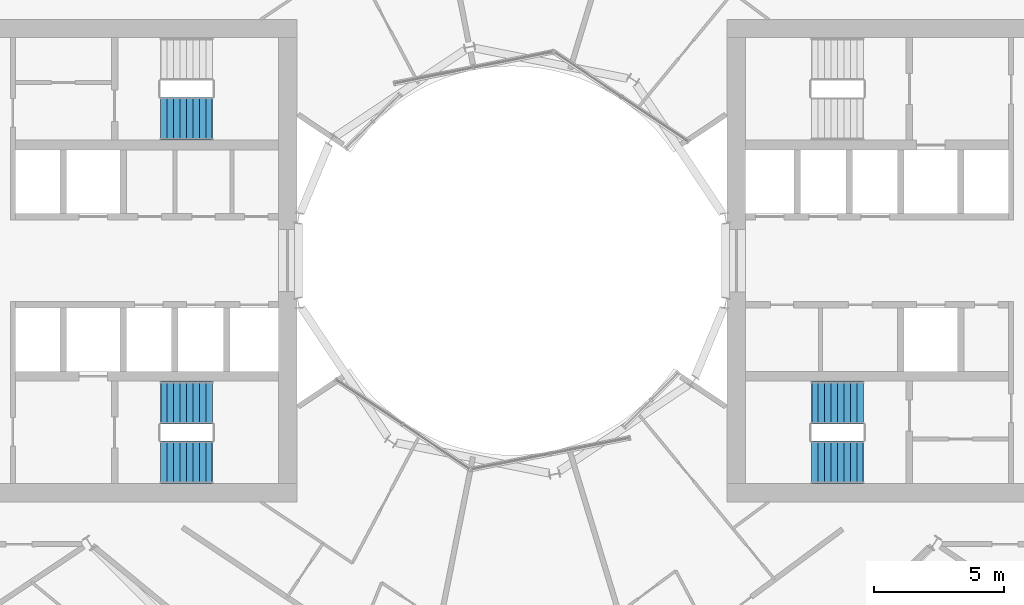
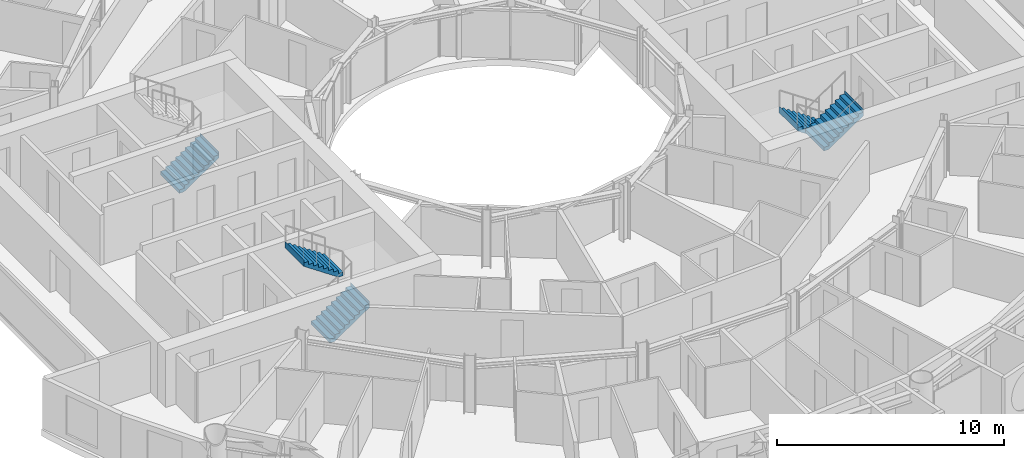
# One storey, part 23 of 26: 5 stair flights, 3 elements without a shape of their own.
"""IFC4 building model written with IfcOpenShell, lengths in metres."""

from ifc_helpers import new_model, si_unit, direction, frame, origin, place, context, subcontext, project, spatial, triangles, material, type_object, element, aggregate, save


model = new_model("IFC4")

# Units and contexts
model_context = context("Model", 3, precision=1e-05, world=origin(), true_north=direction((0.0, 1.0)))
body_context = subcontext(model_context, "Body", "Model", "MODEL_VIEW")
ifc_project = project(units=[si_unit("LENGTHUNIT", "METRE"), si_unit("AREAUNIT", "SQUARE_METRE"), si_unit("VOLUMEUNIT", "CUBIC_METRE"), si_unit("PLANEANGLEUNIT", "RADIAN"), si_unit("MASSUNIT", "GRAM", prefix="KILO")], contexts=[model_context])

# Site, building, storey
site_placement = place(None, origin())
site = spatial("IfcSite", under=ifc_project, at=site_placement, CompositionType="ELEMENT")
building_placement = place(site_placement, origin())
building = spatial("IfcBuilding", under=site, at=building_placement, Name="Maasbend Ring Residences", CompositionType="ELEMENT")
storey_placement = place(building_placement, frame((0.0, 0.0, 88.0)))
storey = spatial("IfcBuildingStorey", under=building, at=storey_placement, Name="L25", CompositionType="ELEMENT", Elevation=88.0)

# Stair, stair flights
ifc_material_1 = material(Name="Concrete C40/50", Category="concrete")
stair_type = type_object("IfcStairType", Name="CORE STAIR 18 RISERS", PredefinedType="HALF_TURN_STAIR", material=ifc_material_1)
stair_1_placement = place(storey_placement, origin())
stair_1 = element("IfcStair", 1, at=stair_1_placement, inside=storey, type_object=stair_type, Name="L25 Exit stair ST-E2", PredefinedType="HALF_TURN_STAIR")
ifc_material_2 = material(Name="Concrete C40/50", Category="concrete")
stair_flight_type = type_object("IfcStairFlightType", Name="CORE STAIR FLIGHT 1650", PredefinedType="STRAIGHT", material=ifc_material_2)
stair_flight_1_placement = place(storey_placement, frame((13.550048828125, -5.47509765625, 0.0), z_axis=(0.0, 0.0, 1.0), x_axis=(-1.0, 0.0, 0.0)))
stair_flight_1 = element("IfcStairFlight", 2, at=stair_flight_1_placement, type_object=stair_flight_type, Name="ST-E2 flight 1", NumberOfRisers=9, NumberOfTreads=8, PredefinedType="STRAIGHT", RiserHeight=0.169444444, TreadLength=0.25, context=body_context, shape_type="Tessellation", body=[
    triangles([(0.24072265625, 0.824951171875, -0.02001953125), (2.0029296875, 0.824951171875, 1.174560546875), (2.0029296875, 0.824951171875, 1.52490234375), (1.989990234375, 0.824951171875, 1.35546875), (1.75, 0.824951171875, 1.35546875), (1.75, 0.824951171875, 1.18603515625), (1.5, 0.824951171875, 1.18603515625), (1.5, 0.824951171875, 1.0166015625), (1.25, 0.824951171875, 1.0166015625), (1.25, 0.824951171875, 0.84716796875), (1.0, 0.824951171875, 0.84716796875), (1.0, 0.824951171875, 0.677734375), (0.75, 0.824951171875, 0.677734375), (0.75, 0.824951171875, 0.50830078125), (0.5, 0.824951171875, 0.50830078125), (0.5, 0.824951171875, 0.3388671875), (0.25, 0.824951171875, 0.3388671875), (0.25, 0.824951171875, 0.16943359375), (0.0, 0.824951171875, 0.16943359375), (0.0, 0.824951171875, 0.0), (-0.0029296875, 0.824951171875, 0.0), (-0.0029296875, 0.824951171875, -0.02001953125), (0.24072265625, 0.27490234375, -0.02001953125), (2.0029296875, 0.27490234375, 1.174560546875), (2.0029296875, 0.27490234375, 1.52490234375), (1.989990234375, 0.27490234375, 1.35546875), (1.75, 0.27490234375, 1.35546875), (1.75, 0.27490234375, 1.18603515625), (1.5, 0.27490234375, 1.18603515625), (1.5, 0.27490234375, 1.0166015625), (1.25, 0.27490234375, 1.0166015625), (1.25, 0.27490234375, 0.84716796875), (1.0, 0.27490234375, 0.84716796875), (1.0, 0.27490234375, 0.677734375), (0.75, 0.27490234375, 0.677734375), (0.75, 0.27490234375, 0.50830078125), (0.5, 0.27490234375, 0.50830078125), (0.5, 0.27490234375, 0.3388671875), (0.25, 0.27490234375, 0.3388671875), (0.25, 0.27490234375, 0.16943359375), (0.0, 0.27490234375, 0.16943359375), (0.0, 0.27490234375, 0.0), (-0.0029296875, 0.27490234375, 0.0), (-0.0029296875, 0.27490234375, -0.02001953125), (0.24072265625, -0.27490234375, -0.02001953125), (2.0029296875, -0.27490234375, 1.174560546875), (2.0029296875, -0.27490234375, 1.52490234375), (1.989990234375, -0.27490234375, 1.35546875), (1.75, -0.27490234375, 1.35546875), (1.75, -0.27490234375, 1.18603515625), (1.5, -0.27490234375, 1.18603515625), (1.5, -0.27490234375, 1.0166015625), (1.25, -0.27490234375, 1.0166015625), (1.25, -0.27490234375, 0.84716796875), (1.0, -0.27490234375, 0.84716796875), (1.0, -0.27490234375, 0.677734375), (0.75, -0.27490234375, 0.677734375), (0.75, -0.27490234375, 0.50830078125), (0.5, -0.27490234375, 0.50830078125), (0.5, -0.27490234375, 0.3388671875), (0.25, -0.27490234375, 0.3388671875), (0.25, -0.27490234375, 0.16943359375), (0.0, -0.27490234375, 0.16943359375), (0.0, -0.27490234375, 0.0), (-0.0029296875, -0.27490234375, 0.0), (-0.0029296875, -0.27490234375, -0.02001953125), (0.24072265625, -0.824951171875, -0.02001953125), (2.0029296875, -0.824951171875, 1.174560546875), (2.0029296875, -0.824951171875, 1.52490234375), (1.989990234375, -0.824951171875, 1.35546875), (1.75, -0.824951171875, 1.35546875), (1.75, -0.824951171875, 1.18603515625), (1.5, -0.824951171875, 1.18603515625), (1.5, -0.824951171875, 1.0166015625), (1.25, -0.824951171875, 1.0166015625), (1.25, -0.824951171875, 0.84716796875), (1.0, -0.824951171875, 0.84716796875), (1.0, -0.824951171875, 0.677734375), (0.75, -0.824951171875, 0.677734375), (0.75, -0.824951171875, 0.50830078125), (0.5, -0.824951171875, 0.50830078125), (0.5, -0.824951171875, 0.3388671875), (0.25, -0.824951171875, 0.3388671875), (0.25, -0.824951171875, 0.16943359375), (0.0, -0.824951171875, 0.16943359375), (0.0, -0.824951171875, 0.0), (-0.0029296875, -0.824951171875, 0.0), (-0.0029296875, -0.824951171875, -0.02001953125)], [[1, 2, 24], [1, 24, 23], [23, 24, 46], [23, 46, 45], [45, 46, 68], [45, 68, 67], [2, 3, 25], [2, 25, 24], [24, 25, 47], [24, 47, 46], [46, 47, 69], [46, 69, 68], [3, 4, 26], [3, 26, 25], [25, 26, 48], [25, 48, 47], [47, 48, 70], [47, 70, 69], [4, 5, 27], [4, 27, 26], [26, 27, 49], [26, 49, 48], [48, 49, 71], [48, 71, 70], [5, 6, 28], [5, 28, 27], [27, 28, 50], [27, 50, 49], [49, 50, 72], [49, 72, 71], [6, 7, 29], [6, 29, 28], [28, 29, 51], [28, 51, 50], [50, 51, 73], [50, 73, 72], [7, 8, 30], [7, 30, 29], [29, 30, 52], [29, 52, 51], [51, 52, 74], [51, 74, 73], [8, 9, 31], [8, 31, 30], [30, 31, 53], [30, 53, 52], [52, 53, 75], [52, 75, 74], [9, 10, 32], [9, 32, 31], [31, 32, 54], [31, 54, 53], [53, 54, 76], [53, 76, 75], [10, 11, 33], [10, 33, 32], [32, 33, 55], [32, 55, 54], [54, 55, 77], [54, 77, 76], [11, 12, 34], [11, 34, 33], [33, 34, 56], [33, 56, 55], [55, 56, 78], [55, 78, 77], [12, 13, 35], [12, 35, 34], [34, 35, 57], [34, 57, 56], [56, 57, 79], [56, 79, 78], [13, 14, 36], [13, 36, 35], [35, 36, 58], [35, 58, 57], [57, 58, 80], [57, 80, 79], [14, 15, 37], [14, 37, 36], [36, 37, 59], [36, 59, 58], [58, 59, 81], [58, 81, 80], [15, 16, 38], [15, 38, 37], [37, 38, 60], [37, 60, 59], [59, 60, 82], [59, 82, 81], [16, 17, 39], [16, 39, 38], [38, 39, 61], [38, 61, 60], [60, 61, 83], [60, 83, 82], [17, 18, 40], [17, 40, 39], [39, 40, 62], [39, 62, 61], [61, 62, 84], [61, 84, 83], [18, 19, 41], [18, 41, 40], [40, 41, 63], [40, 63, 62], [62, 63, 85], [62, 85, 84], [19, 20, 42], [19, 42, 41], [41, 42, 64], [41, 64, 63], [63, 64, 86], [63, 86, 85], [20, 21, 43], [20, 43, 42], [42, 43, 65], [42, 65, 64], [64, 65, 87], [64, 87, 86], [21, 22, 44], [21, 44, 43], [43, 44, 66], [43, 66, 65], [65, 66, 88], [65, 88, 87], [22, 1, 23], [22, 23, 44], [44, 23, 45], [44, 45, 66], [66, 45, 67], [66, 67, 88], [22, 2, 1], [2, 4, 3], [2, 5, 4], [2, 6, 5], [22, 6, 2], [6, 8, 7], [22, 8, 6], [8, 10, 9], [22, 10, 8], [10, 12, 11], [22, 12, 10], [12, 14, 13], [22, 14, 12], [14, 16, 15], [22, 16, 14], [16, 18, 17], [22, 18, 16], [18, 20, 19], [22, 20, 18], [20, 22, 21], [88, 67, 68], [68, 69, 70], [68, 70, 71], [68, 71, 72], [88, 68, 72], [72, 73, 74], [88, 72, 74], [74, 75, 76], [88, 74, 76], [76, 77, 78], [88, 76, 78], [78, 79, 80], [88, 78, 80], [80, 81, 82], [88, 80, 82], [82, 83, 84], [88, 82, 84], [84, 85, 86], [88, 84, 86], [86, 87, 88]], closed=True),
])
stair_flight_2_placement = place(storey_placement, frame((11.550048828125, -7.77490234375, 1.52490234375), z_axis=(0.0, 0.0, 1.0), x_axis=(1.0, 0.0, 0.0)))
stair_flight_2 = element("IfcStairFlight", 3, at=stair_flight_2_placement, type_object=stair_flight_type, Name="ST-E2 flight 2", NumberOfRisers=9, NumberOfTreads=8, PredefinedType="STRAIGHT", RiserHeight=0.169444444, TreadLength=0.25, context=body_context, shape_type="Tessellation", body=[
    triangles([(0.24072265625, 0.824951171875, -0.02001953125), (2.0029296875, 0.824951171875, 1.174560546875), (2.0029296875, 0.824951171875, 1.52490234375), (1.989990234375, 0.824951171875, 1.35546875), (1.75, 0.824951171875, 1.35546875), (1.75, 0.824951171875, 1.18603515625), (1.5, 0.824951171875, 1.18603515625), (1.5, 0.824951171875, 1.0166015625), (1.25, 0.824951171875, 1.0166015625), (1.25, 0.824951171875, 0.84716796875), (1.0, 0.824951171875, 0.84716796875), (1.0, 0.824951171875, 0.677734375), (0.75, 0.824951171875, 0.677734375), (0.75, 0.824951171875, 0.50830078125), (0.5, 0.824951171875, 0.50830078125), (0.5, 0.824951171875, 0.3388671875), (0.25, 0.824951171875, 0.3388671875), (0.25, 0.824951171875, 0.16943359375), (0.0, 0.824951171875, 0.16943359375), (0.0, 0.824951171875, 0.0), (-0.0029296875, 0.824951171875, 0.0), (-0.0029296875, 0.824951171875, -0.02001953125), (0.24072265625, 0.27490234375, -0.02001953125), (2.0029296875, 0.27490234375, 1.174560546875), (2.0029296875, 0.27490234375, 1.52490234375), (1.989990234375, 0.27490234375, 1.35546875), (1.75, 0.27490234375, 1.35546875), (1.75, 0.27490234375, 1.18603515625), (1.5, 0.27490234375, 1.18603515625), (1.5, 0.27490234375, 1.0166015625), (1.25, 0.27490234375, 1.0166015625), (1.25, 0.27490234375, 0.84716796875), (1.0, 0.27490234375, 0.84716796875), (1.0, 0.27490234375, 0.677734375), (0.75, 0.27490234375, 0.677734375), (0.75, 0.27490234375, 0.50830078125), (0.5, 0.27490234375, 0.50830078125), (0.5, 0.27490234375, 0.3388671875), (0.25, 0.27490234375, 0.3388671875), (0.25, 0.27490234375, 0.16943359375), (0.0, 0.27490234375, 0.16943359375), (0.0, 0.27490234375, 0.0), (-0.0029296875, 0.27490234375, 0.0), (-0.0029296875, 0.27490234375, -0.02001953125), (0.24072265625, -0.27490234375, -0.02001953125), (2.0029296875, -0.27490234375, 1.174560546875), (2.0029296875, -0.27490234375, 1.52490234375), (1.989990234375, -0.27490234375, 1.35546875), (1.75, -0.27490234375, 1.35546875), (1.75, -0.27490234375, 1.18603515625), (1.5, -0.27490234375, 1.18603515625), (1.5, -0.27490234375, 1.0166015625), (1.25, -0.27490234375, 1.0166015625), (1.25, -0.27490234375, 0.84716796875), (1.0, -0.27490234375, 0.84716796875), (1.0, -0.27490234375, 0.677734375), (0.75, -0.27490234375, 0.677734375), (0.75, -0.27490234375, 0.50830078125), (0.5, -0.27490234375, 0.50830078125), (0.5, -0.27490234375, 0.3388671875), (0.25, -0.27490234375, 0.3388671875), (0.25, -0.27490234375, 0.16943359375), (0.0, -0.27490234375, 0.16943359375), (0.0, -0.27490234375, 0.0), (-0.0029296875, -0.27490234375, 0.0), (-0.0029296875, -0.27490234375, -0.02001953125), (0.24072265625, -0.824951171875, -0.02001953125), (2.0029296875, -0.824951171875, 1.174560546875), (2.0029296875, -0.824951171875, 1.52490234375), (1.989990234375, -0.824951171875, 1.35546875), (1.75, -0.824951171875, 1.35546875), (1.75, -0.824951171875, 1.18603515625), (1.5, -0.824951171875, 1.18603515625), (1.5, -0.824951171875, 1.0166015625), (1.25, -0.824951171875, 1.0166015625), (1.25, -0.824951171875, 0.84716796875), (1.0, -0.824951171875, 0.84716796875), (1.0, -0.824951171875, 0.677734375), (0.75, -0.824951171875, 0.677734375), (0.75, -0.824951171875, 0.50830078125), (0.5, -0.824951171875, 0.50830078125), (0.5, -0.824951171875, 0.3388671875), (0.25, -0.824951171875, 0.3388671875), (0.25, -0.824951171875, 0.16943359375), (0.0, -0.824951171875, 0.16943359375), (0.0, -0.824951171875, 0.0), (-0.0029296875, -0.824951171875, 0.0), (-0.0029296875, -0.824951171875, -0.02001953125)], [[1, 2, 24], [1, 24, 23], [23, 24, 46], [23, 46, 45], [45, 46, 68], [45, 68, 67], [2, 3, 25], [2, 25, 24], [24, 25, 47], [24, 47, 46], [46, 47, 69], [46, 69, 68], [3, 4, 26], [3, 26, 25], [25, 26, 48], [25, 48, 47], [47, 48, 70], [47, 70, 69], [4, 5, 27], [4, 27, 26], [26, 27, 49], [26, 49, 48], [48, 49, 71], [48, 71, 70], [5, 6, 28], [5, 28, 27], [27, 28, 50], [27, 50, 49], [49, 50, 72], [49, 72, 71], [6, 7, 29], [6, 29, 28], [28, 29, 51], [28, 51, 50], [50, 51, 73], [50, 73, 72], [7, 8, 30], [7, 30, 29], [29, 30, 52], [29, 52, 51], [51, 52, 74], [51, 74, 73], [8, 9, 31], [8, 31, 30], [30, 31, 53], [30, 53, 52], [52, 53, 75], [52, 75, 74], [9, 10, 32], [9, 32, 31], [31, 32, 54], [31, 54, 53], [53, 54, 76], [53, 76, 75], [10, 11, 33], [10, 33, 32], [32, 33, 55], [32, 55, 54], [54, 55, 77], [54, 77, 76], [11, 12, 34], [11, 34, 33], [33, 34, 56], [33, 56, 55], [55, 56, 78], [55, 78, 77], [12, 13, 35], [12, 35, 34], [34, 35, 57], [34, 57, 56], [56, 57, 79], [56, 79, 78], [13, 14, 36], [13, 36, 35], [35, 36, 58], [35, 58, 57], [57, 58, 80], [57, 80, 79], [14, 15, 37], [14, 37, 36], [36, 37, 59], [36, 59, 58], [58, 59, 81], [58, 81, 80], [15, 16, 38], [15, 38, 37], [37, 38, 60], [37, 60, 59], [59, 60, 82], [59, 82, 81], [16, 17, 39], [16, 39, 38], [38, 39, 61], [38, 61, 60], [60, 61, 83], [60, 83, 82], [17, 18, 40], [17, 40, 39], [39, 40, 62], [39, 62, 61], [61, 62, 84], [61, 84, 83], [18, 19, 41], [18, 41, 40], [40, 41, 63], [40, 63, 62], [62, 63, 85], [62, 85, 84], [19, 20, 42], [19, 42, 41], [41, 42, 64], [41, 64, 63], [63, 64, 86], [63, 86, 85], [20, 21, 43], [20, 43, 42], [42, 43, 65], [42, 65, 64], [64, 65, 87], [64, 87, 86], [21, 22, 44], [21, 44, 43], [43, 44, 66], [43, 66, 65], [65, 66, 88], [65, 88, 87], [22, 1, 23], [22, 23, 44], [44, 23, 45], [44, 45, 66], [66, 45, 67], [66, 67, 88], [22, 2, 1], [2, 4, 3], [2, 5, 4], [2, 6, 5], [22, 6, 2], [6, 8, 7], [22, 8, 6], [8, 10, 9], [22, 10, 8], [10, 12, 11], [22, 12, 10], [12, 14, 13], [22, 14, 12], [14, 16, 15], [22, 16, 14], [16, 18, 17], [22, 18, 16], [18, 20, 19], [22, 20, 18], [20, 22, 21], [88, 67, 68], [68, 69, 70], [68, 70, 71], [68, 71, 72], [88, 68, 72], [72, 73, 74], [88, 72, 74], [74, 75, 76], [88, 74, 76], [76, 77, 78], [88, 76, 78], [78, 79, 80], [88, 78, 80], [80, 81, 82], [88, 80, 82], [82, 83, 84], [88, 82, 84], [84, 85, 86], [88, 84, 86], [86, 87, 88]], closed=True),
])
aggregate(stair_1, [stair_flight_1, stair_flight_2])

stair_2_placement = place(storey_placement, origin())
stair_2 = element("IfcStair", 4, at=stair_2_placement, inside=storey, type_object=stair_type, Name="L25 Exit stair ST-W1", PredefinedType="HALF_TURN_STAIR")
stair_flight_3_placement = place(storey_placement, frame((-13.550048828125, -7.77490234375, 0.0), z_axis=(0.0, 0.0, 1.0), x_axis=(1.0, 0.0, 0.0)))
stair_flight_3 = element("IfcStairFlight", 5, at=stair_flight_3_placement, type_object=stair_flight_type, Name="ST-W1 flight 1", NumberOfRisers=9, NumberOfTreads=8, PredefinedType="STRAIGHT", RiserHeight=0.169444444, TreadLength=0.25, context=body_context, shape_type="Tessellation", body=[
    triangles([(0.24072265625, 0.824951171875, -0.02001953125), (2.0029296875, 0.824951171875, 1.174560546875), (2.0029296875, 0.824951171875, 1.52490234375), (1.989990234375, 0.824951171875, 1.35546875), (1.75, 0.824951171875, 1.35546875), (1.75, 0.824951171875, 1.18603515625), (1.5, 0.824951171875, 1.18603515625), (1.5, 0.824951171875, 1.0166015625), (1.25, 0.824951171875, 1.0166015625), (1.25, 0.824951171875, 0.84716796875), (1.0, 0.824951171875, 0.84716796875), (1.0, 0.824951171875, 0.677734375), (0.75, 0.824951171875, 0.677734375), (0.75, 0.824951171875, 0.50830078125), (0.5, 0.824951171875, 0.50830078125), (0.5, 0.824951171875, 0.3388671875), (0.25, 0.824951171875, 0.3388671875), (0.25, 0.824951171875, 0.16943359375), (0.0, 0.824951171875, 0.16943359375), (0.0, 0.824951171875, 0.0), (-0.0029296875, 0.824951171875, 0.0), (-0.0029296875, 0.824951171875, -0.02001953125), (0.24072265625, 0.27490234375, -0.02001953125), (2.0029296875, 0.27490234375, 1.174560546875), (2.0029296875, 0.27490234375, 1.52490234375), (1.989990234375, 0.27490234375, 1.35546875), (1.75, 0.27490234375, 1.35546875), (1.75, 0.27490234375, 1.18603515625), (1.5, 0.27490234375, 1.18603515625), (1.5, 0.27490234375, 1.0166015625), (1.25, 0.27490234375, 1.0166015625), (1.25, 0.27490234375, 0.84716796875), (1.0, 0.27490234375, 0.84716796875), (1.0, 0.27490234375, 0.677734375), (0.75, 0.27490234375, 0.677734375), (0.75, 0.27490234375, 0.50830078125), (0.5, 0.27490234375, 0.50830078125), (0.5, 0.27490234375, 0.3388671875), (0.25, 0.27490234375, 0.3388671875), (0.25, 0.27490234375, 0.16943359375), (0.0, 0.27490234375, 0.16943359375), (0.0, 0.27490234375, 0.0), (-0.0029296875, 0.27490234375, 0.0), (-0.0029296875, 0.27490234375, -0.02001953125), (0.24072265625, -0.27490234375, -0.02001953125), (2.0029296875, -0.27490234375, 1.174560546875), (2.0029296875, -0.27490234375, 1.52490234375), (1.989990234375, -0.27490234375, 1.35546875), (1.75, -0.27490234375, 1.35546875), (1.75, -0.27490234375, 1.18603515625), (1.5, -0.27490234375, 1.18603515625), (1.5, -0.27490234375, 1.0166015625), (1.25, -0.27490234375, 1.0166015625), (1.25, -0.27490234375, 0.84716796875), (1.0, -0.27490234375, 0.84716796875), (1.0, -0.27490234375, 0.677734375), (0.75, -0.27490234375, 0.677734375), (0.75, -0.27490234375, 0.50830078125), (0.5, -0.27490234375, 0.50830078125), (0.5, -0.27490234375, 0.3388671875), (0.25, -0.27490234375, 0.3388671875), (0.25, -0.27490234375, 0.16943359375), (0.0, -0.27490234375, 0.16943359375), (0.0, -0.27490234375, 0.0), (-0.0029296875, -0.27490234375, 0.0), (-0.0029296875, -0.27490234375, -0.02001953125), (0.24072265625, -0.824951171875, -0.02001953125), (2.0029296875, -0.824951171875, 1.174560546875), (2.0029296875, -0.824951171875, 1.52490234375), (1.989990234375, -0.824951171875, 1.35546875), (1.75, -0.824951171875, 1.35546875), (1.75, -0.824951171875, 1.18603515625), (1.5, -0.824951171875, 1.18603515625), (1.5, -0.824951171875, 1.0166015625), (1.25, -0.824951171875, 1.0166015625), (1.25, -0.824951171875, 0.84716796875), (1.0, -0.824951171875, 0.84716796875), (1.0, -0.824951171875, 0.677734375), (0.75, -0.824951171875, 0.677734375), (0.75, -0.824951171875, 0.50830078125), (0.5, -0.824951171875, 0.50830078125), (0.5, -0.824951171875, 0.3388671875), (0.25, -0.824951171875, 0.3388671875), (0.25, -0.824951171875, 0.16943359375), (0.0, -0.824951171875, 0.16943359375), (0.0, -0.824951171875, 0.0), (-0.0029296875, -0.824951171875, 0.0), (-0.0029296875, -0.824951171875, -0.02001953125)], [[1, 2, 24], [1, 24, 23], [23, 24, 46], [23, 46, 45], [45, 46, 68], [45, 68, 67], [2, 3, 25], [2, 25, 24], [24, 25, 47], [24, 47, 46], [46, 47, 69], [46, 69, 68], [3, 4, 26], [3, 26, 25], [25, 26, 48], [25, 48, 47], [47, 48, 70], [47, 70, 69], [4, 5, 27], [4, 27, 26], [26, 27, 49], [26, 49, 48], [48, 49, 71], [48, 71, 70], [5, 6, 28], [5, 28, 27], [27, 28, 50], [27, 50, 49], [49, 50, 72], [49, 72, 71], [6, 7, 29], [6, 29, 28], [28, 29, 51], [28, 51, 50], [50, 51, 73], [50, 73, 72], [7, 8, 30], [7, 30, 29], [29, 30, 52], [29, 52, 51], [51, 52, 74], [51, 74, 73], [8, 9, 31], [8, 31, 30], [30, 31, 53], [30, 53, 52], [52, 53, 75], [52, 75, 74], [9, 10, 32], [9, 32, 31], [31, 32, 54], [31, 54, 53], [53, 54, 76], [53, 76, 75], [10, 11, 33], [10, 33, 32], [32, 33, 55], [32, 55, 54], [54, 55, 77], [54, 77, 76], [11, 12, 34], [11, 34, 33], [33, 34, 56], [33, 56, 55], [55, 56, 78], [55, 78, 77], [12, 13, 35], [12, 35, 34], [34, 35, 57], [34, 57, 56], [56, 57, 79], [56, 79, 78], [13, 14, 36], [13, 36, 35], [35, 36, 58], [35, 58, 57], [57, 58, 80], [57, 80, 79], [14, 15, 37], [14, 37, 36], [36, 37, 59], [36, 59, 58], [58, 59, 81], [58, 81, 80], [15, 16, 38], [15, 38, 37], [37, 38, 60], [37, 60, 59], [59, 60, 82], [59, 82, 81], [16, 17, 39], [16, 39, 38], [38, 39, 61], [38, 61, 60], [60, 61, 83], [60, 83, 82], [17, 18, 40], [17, 40, 39], [39, 40, 62], [39, 62, 61], [61, 62, 84], [61, 84, 83], [18, 19, 41], [18, 41, 40], [40, 41, 63], [40, 63, 62], [62, 63, 85], [62, 85, 84], [19, 20, 42], [19, 42, 41], [41, 42, 64], [41, 64, 63], [63, 64, 86], [63, 86, 85], [20, 21, 43], [20, 43, 42], [42, 43, 65], [42, 65, 64], [64, 65, 87], [64, 87, 86], [21, 22, 44], [21, 44, 43], [43, 44, 66], [43, 66, 65], [65, 66, 88], [65, 88, 87], [22, 1, 23], [22, 23, 44], [44, 23, 45], [44, 45, 66], [66, 45, 67], [66, 67, 88], [22, 2, 1], [2, 4, 3], [2, 5, 4], [2, 6, 5], [22, 6, 2], [6, 8, 7], [22, 8, 6], [8, 10, 9], [22, 10, 8], [10, 12, 11], [22, 12, 10], [12, 14, 13], [22, 14, 12], [14, 16, 15], [22, 16, 14], [16, 18, 17], [22, 18, 16], [18, 20, 19], [22, 20, 18], [20, 22, 21], [88, 67, 68], [68, 69, 70], [68, 70, 71], [68, 71, 72], [88, 68, 72], [72, 73, 74], [88, 72, 74], [74, 75, 76], [88, 74, 76], [76, 77, 78], [88, 76, 78], [78, 79, 80], [88, 78, 80], [80, 81, 82], [88, 80, 82], [82, 83, 84], [88, 82, 84], [84, 85, 86], [88, 84, 86], [86, 87, 88]], closed=True),
])
stair_flight_4_placement = place(storey_placement, frame((-11.550048828125, -5.47509765625, 1.52490234375), z_axis=(0.0, 0.0, 1.0), x_axis=(-1.0, 0.0, 0.0)))
stair_flight_4 = element("IfcStairFlight", 6, at=stair_flight_4_placement, type_object=stair_flight_type, Name="ST-W1 flight 2", NumberOfRisers=9, NumberOfTreads=8, PredefinedType="STRAIGHT", RiserHeight=0.169444444, TreadLength=0.25, context=body_context, shape_type="Tessellation", body=[
    triangles([(0.24072265625, 0.824951171875, -0.02001953125), (2.0029296875, 0.824951171875, 1.174560546875), (2.0029296875, 0.824951171875, 1.52490234375), (1.989990234375, 0.824951171875, 1.35546875), (1.75, 0.824951171875, 1.35546875), (1.75, 0.824951171875, 1.18603515625), (1.5, 0.824951171875, 1.18603515625), (1.5, 0.824951171875, 1.0166015625), (1.25, 0.824951171875, 1.0166015625), (1.25, 0.824951171875, 0.84716796875), (1.0, 0.824951171875, 0.84716796875), (1.0, 0.824951171875, 0.677734375), (0.75, 0.824951171875, 0.677734375), (0.75, 0.824951171875, 0.50830078125), (0.5, 0.824951171875, 0.50830078125), (0.5, 0.824951171875, 0.3388671875), (0.25, 0.824951171875, 0.3388671875), (0.25, 0.824951171875, 0.16943359375), (0.0, 0.824951171875, 0.16943359375), (0.0, 0.824951171875, 0.0), (-0.0029296875, 0.824951171875, 0.0), (-0.0029296875, 0.824951171875, -0.02001953125), (0.24072265625, 0.27490234375, -0.02001953125), (2.0029296875, 0.27490234375, 1.174560546875), (2.0029296875, 0.27490234375, 1.52490234375), (1.989990234375, 0.27490234375, 1.35546875), (1.75, 0.27490234375, 1.35546875), (1.75, 0.27490234375, 1.18603515625), (1.5, 0.27490234375, 1.18603515625), (1.5, 0.27490234375, 1.0166015625), (1.25, 0.27490234375, 1.0166015625), (1.25, 0.27490234375, 0.84716796875), (1.0, 0.27490234375, 0.84716796875), (1.0, 0.27490234375, 0.677734375), (0.75, 0.27490234375, 0.677734375), (0.75, 0.27490234375, 0.50830078125), (0.5, 0.27490234375, 0.50830078125), (0.5, 0.27490234375, 0.3388671875), (0.25, 0.27490234375, 0.3388671875), (0.25, 0.27490234375, 0.16943359375), (0.0, 0.27490234375, 0.16943359375), (0.0, 0.27490234375, 0.0), (-0.0029296875, 0.27490234375, 0.0), (-0.0029296875, 0.27490234375, -0.02001953125), (0.24072265625, -0.27490234375, -0.02001953125), (2.0029296875, -0.27490234375, 1.174560546875), (2.0029296875, -0.27490234375, 1.52490234375), (1.989990234375, -0.27490234375, 1.35546875), (1.75, -0.27490234375, 1.35546875), (1.75, -0.27490234375, 1.18603515625), (1.5, -0.27490234375, 1.18603515625), (1.5, -0.27490234375, 1.0166015625), (1.25, -0.27490234375, 1.0166015625), (1.25, -0.27490234375, 0.84716796875), (1.0, -0.27490234375, 0.84716796875), (1.0, -0.27490234375, 0.677734375), (0.75, -0.27490234375, 0.677734375), (0.75, -0.27490234375, 0.50830078125), (0.5, -0.27490234375, 0.50830078125), (0.5, -0.27490234375, 0.3388671875), (0.25, -0.27490234375, 0.3388671875), (0.25, -0.27490234375, 0.16943359375), (0.0, -0.27490234375, 0.16943359375), (0.0, -0.27490234375, 0.0), (-0.0029296875, -0.27490234375, 0.0), (-0.0029296875, -0.27490234375, -0.02001953125), (0.24072265625, -0.824951171875, -0.02001953125), (2.0029296875, -0.824951171875, 1.174560546875), (2.0029296875, -0.824951171875, 1.52490234375), (1.989990234375, -0.824951171875, 1.35546875), (1.75, -0.824951171875, 1.35546875), (1.75, -0.824951171875, 1.18603515625), (1.5, -0.824951171875, 1.18603515625), (1.5, -0.824951171875, 1.0166015625), (1.25, -0.824951171875, 1.0166015625), (1.25, -0.824951171875, 0.84716796875), (1.0, -0.824951171875, 0.84716796875), (1.0, -0.824951171875, 0.677734375), (0.75, -0.824951171875, 0.677734375), (0.75, -0.824951171875, 0.50830078125), (0.5, -0.824951171875, 0.50830078125), (0.5, -0.824951171875, 0.3388671875), (0.25, -0.824951171875, 0.3388671875), (0.25, -0.824951171875, 0.16943359375), (0.0, -0.824951171875, 0.16943359375), (0.0, -0.824951171875, 0.0), (-0.0029296875, -0.824951171875, 0.0), (-0.0029296875, -0.824951171875, -0.02001953125)], [[1, 2, 24], [1, 24, 23], [23, 24, 46], [23, 46, 45], [45, 46, 68], [45, 68, 67], [2, 3, 25], [2, 25, 24], [24, 25, 47], [24, 47, 46], [46, 47, 69], [46, 69, 68], [3, 4, 26], [3, 26, 25], [25, 26, 48], [25, 48, 47], [47, 48, 70], [47, 70, 69], [4, 5, 27], [4, 27, 26], [26, 27, 49], [26, 49, 48], [48, 49, 71], [48, 71, 70], [5, 6, 28], [5, 28, 27], [27, 28, 50], [27, 50, 49], [49, 50, 72], [49, 72, 71], [6, 7, 29], [6, 29, 28], [28, 29, 51], [28, 51, 50], [50, 51, 73], [50, 73, 72], [7, 8, 30], [7, 30, 29], [29, 30, 52], [29, 52, 51], [51, 52, 74], [51, 74, 73], [8, 9, 31], [8, 31, 30], [30, 31, 53], [30, 53, 52], [52, 53, 75], [52, 75, 74], [9, 10, 32], [9, 32, 31], [31, 32, 54], [31, 54, 53], [53, 54, 76], [53, 76, 75], [10, 11, 33], [10, 33, 32], [32, 33, 55], [32, 55, 54], [54, 55, 77], [54, 77, 76], [11, 12, 34], [11, 34, 33], [33, 34, 56], [33, 56, 55], [55, 56, 78], [55, 78, 77], [12, 13, 35], [12, 35, 34], [34, 35, 57], [34, 57, 56], [56, 57, 79], [56, 79, 78], [13, 14, 36], [13, 36, 35], [35, 36, 58], [35, 58, 57], [57, 58, 80], [57, 80, 79], [14, 15, 37], [14, 37, 36], [36, 37, 59], [36, 59, 58], [58, 59, 81], [58, 81, 80], [15, 16, 38], [15, 38, 37], [37, 38, 60], [37, 60, 59], [59, 60, 82], [59, 82, 81], [16, 17, 39], [16, 39, 38], [38, 39, 61], [38, 61, 60], [60, 61, 83], [60, 83, 82], [17, 18, 40], [17, 40, 39], [39, 40, 62], [39, 62, 61], [61, 62, 84], [61, 84, 83], [18, 19, 41], [18, 41, 40], [40, 41, 63], [40, 63, 62], [62, 63, 85], [62, 85, 84], [19, 20, 42], [19, 42, 41], [41, 42, 64], [41, 64, 63], [63, 64, 86], [63, 86, 85], [20, 21, 43], [20, 43, 42], [42, 43, 65], [42, 65, 64], [64, 65, 87], [64, 87, 86], [21, 22, 44], [21, 44, 43], [43, 44, 66], [43, 66, 65], [65, 66, 88], [65, 88, 87], [22, 1, 23], [22, 23, 44], [44, 23, 45], [44, 45, 66], [66, 45, 67], [66, 67, 88], [22, 2, 1], [2, 4, 3], [2, 5, 4], [2, 6, 5], [22, 6, 2], [6, 8, 7], [22, 8, 6], [8, 10, 9], [22, 10, 8], [10, 12, 11], [22, 12, 10], [12, 14, 13], [22, 14, 12], [14, 16, 15], [22, 16, 14], [16, 18, 17], [22, 18, 16], [18, 20, 19], [22, 20, 18], [20, 22, 21], [88, 67, 68], [68, 69, 70], [68, 70, 71], [68, 71, 72], [88, 68, 72], [72, 73, 74], [88, 72, 74], [74, 75, 76], [88, 74, 76], [76, 77, 78], [88, 76, 78], [78, 79, 80], [88, 78, 80], [80, 81, 82], [88, 80, 82], [82, 83, 84], [88, 82, 84], [84, 85, 86], [88, 84, 86], [86, 87, 88]], closed=True),
])
aggregate(stair_2, [stair_flight_3, stair_flight_4])

# Stair, stair flight
stair_3_placement = place(storey_placement, origin())
stair_3 = element("IfcStair", 7, at=stair_3_placement, inside=storey, type_object=stair_type, Name="L25 Exit stair ST-W2", PredefinedType="HALF_TURN_STAIR")
stair_flight_5_placement = place(storey_placement, frame((-13.550048828125, 5.47509765625, 0.0), z_axis=(0.0, 0.0, 1.0), x_axis=(1.0, 0.0, 0.0)))
stair_flight_5 = element("IfcStairFlight", 8, at=stair_flight_5_placement, type_object=stair_flight_type, Name="ST-W2 flight 1", NumberOfRisers=9, NumberOfTreads=8, PredefinedType="STRAIGHT", RiserHeight=0.169444444, TreadLength=0.25, context=body_context, shape_type="Tessellation", body=[
    triangles([(0.24072265625, 0.824951171875, -0.02001953125), (2.0029296875, 0.824951171875, 1.174560546875), (2.0029296875, 0.824951171875, 1.52490234375), (1.989990234375, 0.824951171875, 1.35546875), (1.75, 0.824951171875, 1.35546875), (1.75, 0.824951171875, 1.18603515625), (1.5, 0.824951171875, 1.18603515625), (1.5, 0.824951171875, 1.0166015625), (1.25, 0.824951171875, 1.0166015625), (1.25, 0.824951171875, 0.84716796875), (1.0, 0.824951171875, 0.84716796875), (1.0, 0.824951171875, 0.677734375), (0.75, 0.824951171875, 0.677734375), (0.75, 0.824951171875, 0.50830078125), (0.5, 0.824951171875, 0.50830078125), (0.5, 0.824951171875, 0.3388671875), (0.25, 0.824951171875, 0.3388671875), (0.25, 0.824951171875, 0.16943359375), (0.0, 0.824951171875, 0.16943359375), (0.0, 0.824951171875, 0.0), (-0.0029296875, 0.824951171875, 0.0), (-0.0029296875, 0.824951171875, -0.02001953125), (0.24072265625, 0.27490234375, -0.02001953125), (2.0029296875, 0.27490234375, 1.174560546875), (2.0029296875, 0.27490234375, 1.52490234375), (1.989990234375, 0.27490234375, 1.35546875), (1.75, 0.27490234375, 1.35546875), (1.75, 0.27490234375, 1.18603515625), (1.5, 0.27490234375, 1.18603515625), (1.5, 0.27490234375, 1.0166015625), (1.25, 0.27490234375, 1.0166015625), (1.25, 0.27490234375, 0.84716796875), (1.0, 0.27490234375, 0.84716796875), (1.0, 0.27490234375, 0.677734375), (0.75, 0.27490234375, 0.677734375), (0.75, 0.27490234375, 0.50830078125), (0.5, 0.27490234375, 0.50830078125), (0.5, 0.27490234375, 0.3388671875), (0.25, 0.27490234375, 0.3388671875), (0.25, 0.27490234375, 0.16943359375), (0.0, 0.27490234375, 0.16943359375), (0.0, 0.27490234375, 0.0), (-0.0029296875, 0.27490234375, 0.0), (-0.0029296875, 0.27490234375, -0.02001953125), (0.24072265625, -0.27490234375, -0.02001953125), (2.0029296875, -0.27490234375, 1.174560546875), (2.0029296875, -0.27490234375, 1.52490234375), (1.989990234375, -0.27490234375, 1.35546875), (1.75, -0.27490234375, 1.35546875), (1.75, -0.27490234375, 1.18603515625), (1.5, -0.27490234375, 1.18603515625), (1.5, -0.27490234375, 1.0166015625), (1.25, -0.27490234375, 1.0166015625), (1.25, -0.27490234375, 0.84716796875), (1.0, -0.27490234375, 0.84716796875), (1.0, -0.27490234375, 0.677734375), (0.75, -0.27490234375, 0.677734375), (0.75, -0.27490234375, 0.50830078125), (0.5, -0.27490234375, 0.50830078125), (0.5, -0.27490234375, 0.3388671875), (0.25, -0.27490234375, 0.3388671875), (0.25, -0.27490234375, 0.16943359375), (0.0, -0.27490234375, 0.16943359375), (0.0, -0.27490234375, 0.0), (-0.0029296875, -0.27490234375, 0.0), (-0.0029296875, -0.27490234375, -0.02001953125), (0.24072265625, -0.824951171875, -0.02001953125), (2.0029296875, -0.824951171875, 1.174560546875), (2.0029296875, -0.824951171875, 1.52490234375), (1.989990234375, -0.824951171875, 1.35546875), (1.75, -0.824951171875, 1.35546875), (1.75, -0.824951171875, 1.18603515625), (1.5, -0.824951171875, 1.18603515625), (1.5, -0.824951171875, 1.0166015625), (1.25, -0.824951171875, 1.0166015625), (1.25, -0.824951171875, 0.84716796875), (1.0, -0.824951171875, 0.84716796875), (1.0, -0.824951171875, 0.677734375), (0.75, -0.824951171875, 0.677734375), (0.75, -0.824951171875, 0.50830078125), (0.5, -0.824951171875, 0.50830078125), (0.5, -0.824951171875, 0.3388671875), (0.25, -0.824951171875, 0.3388671875), (0.25, -0.824951171875, 0.16943359375), (0.0, -0.824951171875, 0.16943359375), (0.0, -0.824951171875, 0.0), (-0.0029296875, -0.824951171875, 0.0), (-0.0029296875, -0.824951171875, -0.02001953125)], [[1, 2, 24], [1, 24, 23], [23, 24, 46], [23, 46, 45], [45, 46, 68], [45, 68, 67], [2, 3, 25], [2, 25, 24], [24, 25, 47], [24, 47, 46], [46, 47, 69], [46, 69, 68], [3, 4, 26], [3, 26, 25], [25, 26, 48], [25, 48, 47], [47, 48, 70], [47, 70, 69], [4, 5, 27], [4, 27, 26], [26, 27, 49], [26, 49, 48], [48, 49, 71], [48, 71, 70], [5, 6, 28], [5, 28, 27], [27, 28, 50], [27, 50, 49], [49, 50, 72], [49, 72, 71], [6, 7, 29], [6, 29, 28], [28, 29, 51], [28, 51, 50], [50, 51, 73], [50, 73, 72], [7, 8, 30], [7, 30, 29], [29, 30, 52], [29, 52, 51], [51, 52, 74], [51, 74, 73], [8, 9, 31], [8, 31, 30], [30, 31, 53], [30, 53, 52], [52, 53, 75], [52, 75, 74], [9, 10, 32], [9, 32, 31], [31, 32, 54], [31, 54, 53], [53, 54, 76], [53, 76, 75], [10, 11, 33], [10, 33, 32], [32, 33, 55], [32, 55, 54], [54, 55, 77], [54, 77, 76], [11, 12, 34], [11, 34, 33], [33, 34, 56], [33, 56, 55], [55, 56, 78], [55, 78, 77], [12, 13, 35], [12, 35, 34], [34, 35, 57], [34, 57, 56], [56, 57, 79], [56, 79, 78], [13, 14, 36], [13, 36, 35], [35, 36, 58], [35, 58, 57], [57, 58, 80], [57, 80, 79], [14, 15, 37], [14, 37, 36], [36, 37, 59], [36, 59, 58], [58, 59, 81], [58, 81, 80], [15, 16, 38], [15, 38, 37], [37, 38, 60], [37, 60, 59], [59, 60, 82], [59, 82, 81], [16, 17, 39], [16, 39, 38], [38, 39, 61], [38, 61, 60], [60, 61, 83], [60, 83, 82], [17, 18, 40], [17, 40, 39], [39, 40, 62], [39, 62, 61], [61, 62, 84], [61, 84, 83], [18, 19, 41], [18, 41, 40], [40, 41, 63], [40, 63, 62], [62, 63, 85], [62, 85, 84], [19, 20, 42], [19, 42, 41], [41, 42, 64], [41, 64, 63], [63, 64, 86], [63, 86, 85], [20, 21, 43], [20, 43, 42], [42, 43, 65], [42, 65, 64], [64, 65, 87], [64, 87, 86], [21, 22, 44], [21, 44, 43], [43, 44, 66], [43, 66, 65], [65, 66, 88], [65, 88, 87], [22, 1, 23], [22, 23, 44], [44, 23, 45], [44, 45, 66], [66, 45, 67], [66, 67, 88], [22, 2, 1], [2, 4, 3], [2, 5, 4], [2, 6, 5], [22, 6, 2], [6, 8, 7], [22, 8, 6], [8, 10, 9], [22, 10, 8], [10, 12, 11], [22, 12, 10], [12, 14, 13], [22, 14, 12], [14, 16, 15], [22, 16, 14], [16, 18, 17], [22, 18, 16], [18, 20, 19], [22, 20, 18], [20, 22, 21], [88, 67, 68], [68, 69, 70], [68, 70, 71], [68, 71, 72], [88, 68, 72], [72, 73, 74], [88, 72, 74], [74, 75, 76], [88, 74, 76], [76, 77, 78], [88, 76, 78], [78, 79, 80], [88, 78, 80], [80, 81, 82], [88, 80, 82], [82, 83, 84], [88, 82, 84], [84, 85, 86], [88, 84, 86], [86, 87, 88]], closed=True),
])
aggregate(stair_3, [stair_flight_5])

save(model, "model.ifc")
